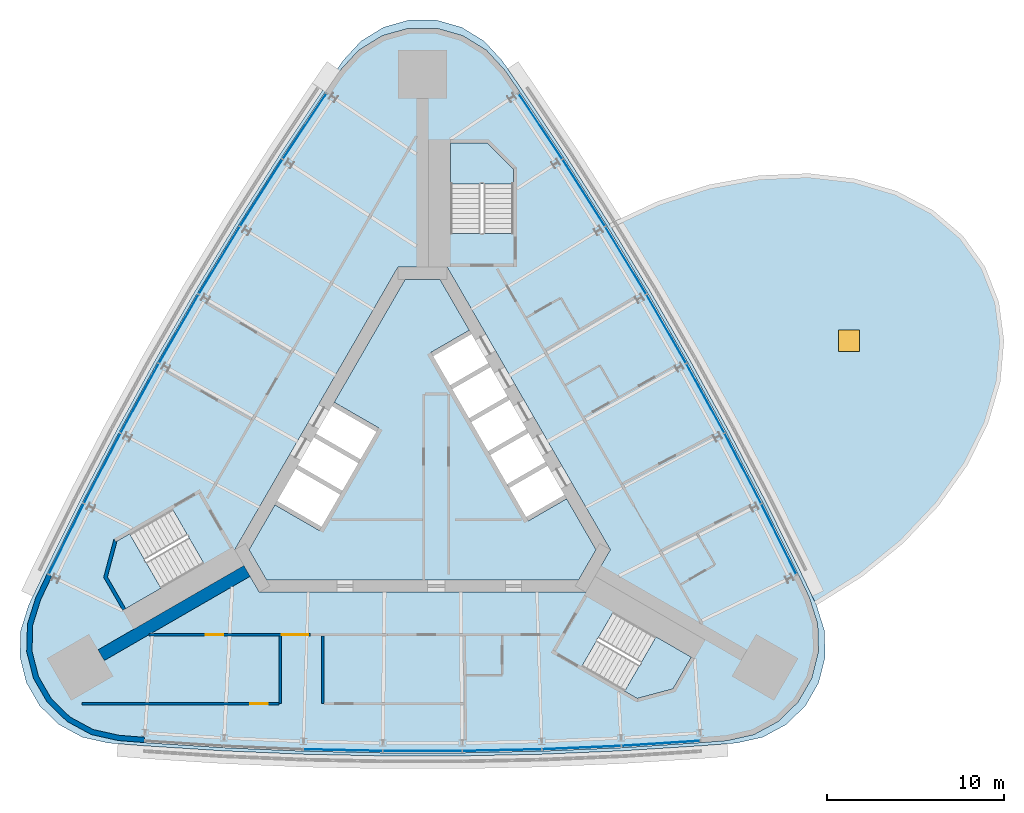
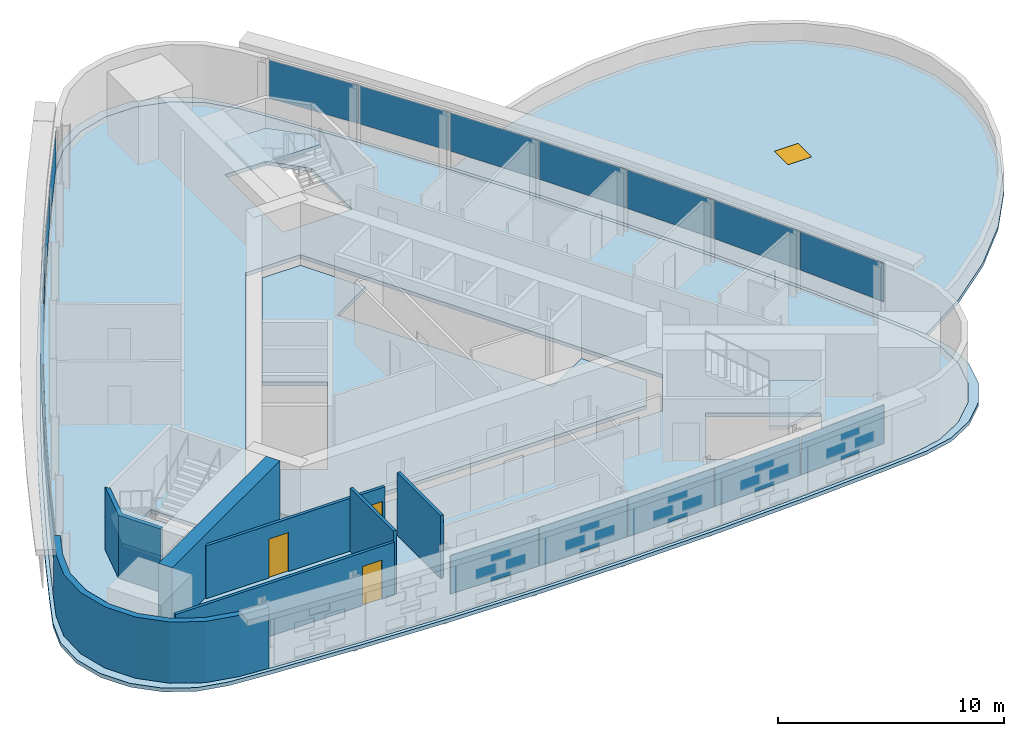
# One storey, part 7 of 12: 19 plates, 7 slabs, 7 walls, 3 doors, 1 window, 4 openings, 6 elements without a shape of their own.
"""IFC4 building model written with IfcOpenShell, lengths in metres."""

from ifc_helpers import new_model, si_unit, direction, frame, frame_2d, origin, origin_2d, place, context, subcontext, project, spatial, polyline, rectangle, outline, extrude, material, layer, layer_set, type_object, element, fill, aggregate, save


model = new_model("IFC4")

# Units and contexts
model_context = context("Model", 3, precision=1e-05, world=origin(), true_north=direction((0.0, 1.0)))
body_context = subcontext(model_context, "Body", "Model", "MODEL_VIEW")
ifc_project = project(units=[si_unit("LENGTHUNIT", "METRE"), si_unit("AREAUNIT", "SQUARE_METRE"), si_unit("VOLUMEUNIT", "CUBIC_METRE"), si_unit("PLANEANGLEUNIT", "RADIAN"), si_unit("MASSUNIT", "GRAM", prefix="KILO")], contexts=[model_context])

# Site, building, storey
site_placement = place(None, origin())
site = spatial("IfcSite", under=ifc_project, at=site_placement, CompositionType="ELEMENT")
building_placement = place(site_placement, origin())
building = spatial("IfcBuilding", under=site, at=building_placement, Name="Noor Cloister Tower", CompositionType="ELEMENT")
storey_placement = place(building_placement, frame((0.0, 0.0, 185.10009765625)))
storey = spatial("IfcBuildingStorey", under=building, at=storey_placement, Name="L47", CompositionType="ELEMENT", Elevation=185.10009765625)

# Slabs
ifc_material_1 = material(Name="Concrete C40/50", Category="concrete")
ifc_layer_1 = layer(ifc_material_1, 0.199951171875)
ifc_layer_set_1 = layer_set([ifc_layer_1], Name="Core floor slab 200 C40/50")
slab_type_1 = type_object("IfcSlabType", Name="Core floor slab 200 C40/50", PredefinedType="FLOOR", material=ifc_layer_set_1)
slab_1_placement = place(storey_placement, frame((0.0, 0.0, -0.2001953125)))
element("IfcSlab", 1, at=slab_1_placement, inside=storey, type_object=slab_type_1, Name="Core floor L47", PredefinedType="FLOOR", context=body_context, shape_type="SweptSolid", body=[
    extrude(outline(polyline([(2.643798828125, 7.877197265625), (0.9814453125, 10.75634765625), (-0.9814453125, 10.75634765625), (-4.993896484375, 3.806884765625), (-2.482421875, 2.35693359375), (-5.832275390625, -3.4453125), (-8.34375, -1.995361328125), (-9.80615234375, -4.5283203125), (-8.82470703125, -6.228271484375), (8.82470703125, -6.228271484375), (9.80615234375, -4.5283203125), (8.143798828125, -1.64892578125), (5.978759765625, -2.89892578125), (0.478759765625, 6.627197265625), (2.643798828125, 7.877197265625)])), origin(), (0.0, 0.0, 1.0), 0.2001953125),
])
ifc_material_2 = material(Name="Concrete C40/50", Category="concrete")
ifc_layer_2 = layer(ifc_material_2, 0.199951171875)
ifc_layer_set_2 = layer_set([ifc_layer_2], Name="Floor slab 200 C40/50")
slab_type_2 = type_object("IfcSlabType", Name="Floor slab 200 C40/50", PredefinedType="FLOOR", material=ifc_layer_set_2)
slab_2_placement = place(storey_placement, frame((0.0, 0.0, -0.2001953125)))
element("IfcSlab", 2, at=slab_2_placement, inside=storey, type_object=slab_type_2, Name="Floor slab L47", PredefinedType="FLOOR", context=body_context, shape_type="SweptSolid", body=[
    extrude(outline(polyline([(4.659423828125, 22.556884765625), (3.60498046875, 23.70361328125), (2.278076171875, 24.52001953125), (0.779052734375, 24.9443359375), (-0.779052734375, 24.9443359375), (-2.278076171875, 24.52001953125), (-3.60498046875, 23.70361328125), (-4.659423828125, 22.556884765625), (-5.494384765625, 21.341552734375), (-7.98974609375, 17.59716796875), (-10.404541015625, 13.7998046875), (-12.7373046875, 9.951904296875), (-14.9873046875, 6.054931640625), (-17.1533203125, 2.110595703125), (-19.234375, -1.879150390625), (-21.2294921875, -5.91259765625), (-21.864501953125, -7.2431640625), (-22.330322265625, -8.72998046875), (-22.3740234375, -10.287109375), (-21.991943359375, -11.797607421875), (-21.212890625, -13.146728515625), (-20.095947265625, -14.23291015625), (-18.7255859375, -14.973876953125), (-17.205078125, -15.3134765625), (-15.7353515625, -15.428955078125), (-11.24462890625, -15.7177734375), (-6.748779296875, -15.910400390625), (-2.25, -16.0068359375), (2.25, -16.0068359375), (6.748779296875, -15.910400390625), (11.24462890625, -15.7177734375), (15.7353515625, -15.428955078125), (17.205078125, -15.3134765625), (18.7255859375, -14.973876953125), (20.095947265625, -14.23291015625), (21.212890625, -13.146728515625), (21.991943359375, -11.797607421875), (22.3740234375, -10.287109375), (22.330322265625, -8.72998046875), (21.864501953125, -7.2431640625), (21.2294921875, -5.91259765625), (19.234375, -1.879150390625), (17.1533203125, 2.110595703125), (14.9873046875, 6.054931640625), (12.7373046875, 9.951904296875), (10.404541015625, 13.7998046875), (7.98974609375, 17.59716796875), (5.494384765625, 21.341552734375), (4.659423828125, 22.556884765625)]), holes=[polyline([(8.999755859375, -11.126220703125), (12.131591796875, -12.934326171875), (14.1572265625, -12.3916015625), (15.19091796875, -10.601318359375), (10.774658203125, -8.0517578125), (8.999755859375, -11.126220703125)]), polyline([(-17.81005859375, -6.064697265625), (-16.776611328125, -7.85498046875), (-12.3603515625, -5.305419921875), (-14.13525390625, -2.23095703125), (-16.662841796875, -3.690185546875), (-17.267333984375, -4.039306640625), (-17.81005859375, -6.064697265625)]), polyline([(-10.6142578125, -4.5283203125), (-9.228759765625, -6.92822265625), (9.228759765625, -6.92822265625), (10.6142578125, -4.5283203125), (1.3857421875, 11.456298828125), (-1.3857421875, 11.456298828125), (-10.6142578125, -4.5283203125)]), polyline([(3.65283203125, 18.456298828125), (1.585693359375, 18.456298828125), (1.585693359375, 13.35693359375), (5.135498046875, 13.35693359375), (5.135498046875, 16.9736328125), (3.65283203125, 18.456298828125)])]), origin(), (0.0, 0.0, 1.0), 0.2001953125),
])

# Curtain wall, plates
ifc_material_3 = material(Name="Aluminium 6063-T6 anodised", Category="aluminium")
curtain_wall_type = type_object("IfcCurtainWallType", Name="Ribbon curtain wall, upper tower CW5", PredefinedType="NOTDEFINED", material=ifc_material_3)
curtain_wall_1_placement = place(storey_placement, origin())
curtain_wall_1 = element("IfcCurtainWall", 3, at=curtain_wall_1_placement, inside=storey, type_object=curtain_wall_type, Name="CW5 L47 NW run 1", PredefinedType="NOTDEFINED")
ifc_material_4 = material(Name="Clear laminated glass 2 x 8 mm", Category="glass")
ifc_layer_3 = layer(ifc_material_4, 0.028076171875)
ifc_layer_set_3 = layer_set([ifc_layer_3], Name="Glass panel CW5")
plate_type = type_object("IfcPlateType", Name="Glass panel CW5", PredefinedType="CURTAIN_PANEL", material=ifc_layer_set_3)
plate_1_placement = place(storey_placement, frame((-6.668212890625, 19.39990234375, 1.08984375), z_axis=(0.0, 0.0, 1.0), x_axis=(-0.554550704513, -0.832149936084, 0.0)))
plate_1 = element("IfcPlate", 4, at=plate_1_placement, type_object=plate_type, Name="CW5 glass panel 1", PredefinedType="CURTAIN_PANEL", context=body_context, shape_type="SweptSolid", body=[
    extrude(rectangle(XDim=4.413818359375, YDim=0.028076171875, at=origin_2d()), origin(), (0.0, 0.0, 1.0), 2.070068359375),
])
plate_2_placement = place(storey_placement, frame((-9.11279296875, 15.644775390625, 1.08984375), z_axis=(0.0, 0.0, 1.0), x_axis=(-0.536610284799, -0.843830197521, 0.0)))
plate_2 = element("IfcPlate", 5, at=plate_2_placement, type_object=plate_type, Name="CW5 glass panel 2", PredefinedType="CURTAIN_PANEL", context=body_context, shape_type="SweptSolid", body=[
    extrude(rectangle(XDim=4.44775390625, YDim=0.028076171875, at=origin_2d()), origin(), (0.0, 0.0, 1.0), 2.070068359375),
])
plate_3_placement = place(storey_placement, frame((-11.4853515625, 11.823974609375, 1.08984375), z_axis=(0.0, 0.0, 1.0), x_axis=(-0.518423928552, -0.855123751456, 0.0)))
plate_3 = element("IfcPlate", 6, at=plate_3_placement, type_object=plate_type, Name="CW5 glass panel 3", PredefinedType="CURTAIN_PANEL", context=body_context, shape_type="SweptSolid", body=[
    extrude(rectangle(XDim=4.44775390625, YDim=0.028076171875, at=origin_2d()), origin(), (0.0, 0.0, 1.0), 2.070068359375),
])
plate_4_placement = place(storey_placement, frame((-13.775634765625, 7.953369140625, 1.08984375), z_axis=(0.0, 0.0, 1.0), x_axis=(-0.5, -0.866025403784, 0.0)))
plate_4 = element("IfcPlate", 7, at=plate_4_placement, type_object=plate_type, Name="CW5 glass panel 4", PredefinedType="CURTAIN_PANEL", context=body_context, shape_type="SweptSolid", body=[
    extrude(rectangle(XDim=4.44775390625, YDim=0.028076171875, at=origin_2d()), origin(), (0.0, 0.0, 1.0), 2.070068359375),
])
plate_5_placement = place(storey_placement, frame((-15.982666015625, 4.03466796875, 1.08984375), z_axis=(0.0, 0.0, 1.0), x_axis=(-0.481346927864, -0.876530167784, 0.0)))
plate_5 = element("IfcPlate", 8, at=plate_5_placement, type_object=plate_type, Name="CW5 glass panel 5", PredefinedType="CURTAIN_PANEL", context=body_context, shape_type="SweptSolid", body=[
    extrude(rectangle(XDim=4.44775390625, YDim=0.028076171875, at=origin_2d()), origin(), (0.0, 0.0, 1.0), 2.070068359375),
])
plate_6_placement = place(storey_placement, frame((-18.105224609375, 0.0693359375, 1.08984375), z_axis=(0.0, 0.0, 1.0), x_axis=(-0.462473245134, -0.886633237328, 0.0)))
plate_6 = element("IfcPlate", 9, at=plate_6_placement, type_object=plate_type, Name="CW5 glass panel 6", PredefinedType="CURTAIN_PANEL", context=body_context, shape_type="SweptSolid", body=[
    extrude(rectangle(XDim=4.44775390625, YDim=0.028076171875, at=origin_2d()), origin(), (0.0, 0.0, 1.0), 2.070068359375),
])
plate_7_placement = place(storey_placement, frame((-20.134765625, -3.925048828125, 1.08984375), z_axis=(0.0, 0.0, 1.0), x_axis=(-0.443387632149, -0.896329965837, 0.0)))
plate_7 = element("IfcPlate", 10, at=plate_7_placement, type_object=plate_type, Name="CW5 glass panel 7", PredefinedType="CURTAIN_PANEL", context=body_context, shape_type="SweptSolid", body=[
    extrude(rectangle(XDim=4.413818359375, YDim=0.028076171875, at=origin_2d()), origin(), (0.0, 0.0, 1.0), 2.070068359375),
])
aggregate(curtain_wall_1, [plate_1, plate_2, plate_3, plate_4, plate_5, plate_6, plate_7])

curtain_wall_2_placement = place(storey_placement, origin())
curtain_wall_2 = element("IfcCurtainWall", 11, at=curtain_wall_2_placement, inside=storey, type_object=curtain_wall_type, Name="CW5 L47 S run 2", PredefinedType="NOTDEFINED")
plate_8_placement = place(storey_placement, frame((-4.497314453125, -15.858642578125, 1.08984375), z_axis=(0.0, 0.0, 1.0), x_axis=(0.999770856417, -0.021406416328, 0.0)))
plate_8 = element("IfcPlate", 12, at=plate_8_placement, type_object=plate_type, Name="CW5 glass panel 3", PredefinedType="CURTAIN_PANEL", context=body_context, shape_type="SweptSolid", body=[
    extrude(rectangle(XDim=4.44775390625, YDim=0.028076171875, at=origin_2d()), origin(), (0.0, 0.0, 1.0), 2.070068359375),
])
plate_9_placement = place(storey_placement, frame((0.0, -15.90673828125, 1.08984375), z_axis=(0.0, 0.0, 1.0), x_axis=(1.0, 0.0, 0.0)))
plate_9 = element("IfcPlate", 13, at=plate_9_placement, type_object=plate_type, Name="CW5 glass panel 4", PredefinedType="CURTAIN_PANEL", context=body_context, shape_type="SweptSolid", body=[
    extrude(rectangle(XDim=4.44775390625, YDim=0.028076171875, at=origin_2d()), origin(), (0.0, 0.0, 1.0), 2.070068359375),
])
plate_10_placement = place(storey_placement, frame((4.497314453125, -15.858642578125, 1.08984375), z_axis=(0.0, 0.0, 1.0), x_axis=(0.999770856417, 0.021406416328, 0.0)))
plate_10 = element("IfcPlate", 14, at=plate_10_placement, type_object=plate_type, Name="CW5 glass panel 5", PredefinedType="CURTAIN_PANEL", context=body_context, shape_type="SweptSolid", body=[
    extrude(rectangle(XDim=4.44775390625, YDim=0.028076171875, at=origin_2d()), origin(), (0.0, 0.0, 1.0), 2.070068359375),
])
plate_11_placement = place(storey_placement, frame((8.992431640625, -15.71435546875, 1.08984375), z_axis=(0.0, 0.0, 1.0), x_axis=(0.999083529933, 0.042803039807, 0.0)))
plate_11 = element("IfcPlate", 15, at=plate_11_placement, type_object=plate_type, Name="CW5 glass panel 6", PredefinedType="CURTAIN_PANEL", context=body_context, shape_type="SweptSolid", body=[
    extrude(rectangle(XDim=4.44775390625, YDim=0.028076171875, at=origin_2d()), origin(), (0.0, 0.0, 1.0), 2.070068359375),
])
plate_12_placement = place(storey_placement, frame((13.466552734375, -15.474853515625, 1.08984375), z_axis=(0.0, 0.0, 1.0), x_axis=(0.997938336663, 0.064180029753, 0.0)))
plate_12 = element("IfcPlate", 16, at=plate_12_placement, type_object=plate_type, Name="CW5 glass panel 7", PredefinedType="CURTAIN_PANEL", context=body_context, shape_type="SweptSolid", body=[
    extrude(rectangle(XDim=4.413818359375, YDim=0.028076171875, at=origin_2d()), origin(), (0.0, 0.0, 1.0), 2.070068359375),
])
aggregate(curtain_wall_2, [plate_8, plate_9, plate_10, plate_11, plate_12])

curtain_wall_3_placement = place(storey_placement, origin())
curtain_wall_3 = element("IfcCurtainWall", 17, at=curtain_wall_3_placement, inside=storey, type_object=curtain_wall_type, Name="CW5 L47 NE run 3", PredefinedType="NOTDEFINED")
plate_13_placement = place(storey_placement, frame((20.134765625, -3.925048828125, 1.08984375), z_axis=(0.0, 0.0, 1.0), x_axis=(-0.443387632149, 0.896329965837, 0.0)))
plate_13 = element("IfcPlate", 18, at=plate_13_placement, type_object=plate_type, Name="CW5 glass panel 1", PredefinedType="CURTAIN_PANEL", context=body_context, shape_type="SweptSolid", body=[
    extrude(rectangle(XDim=4.413818359375, YDim=0.028076171875, at=origin_2d()), origin(), (0.0, 0.0, 1.0), 2.070068359375),
])
plate_14_placement = place(storey_placement, frame((18.105224609375, 0.0693359375, 1.08984375), z_axis=(0.0, 0.0, 1.0), x_axis=(-0.462473245134, 0.886633237328, 0.0)))
plate_14 = element("IfcPlate", 19, at=plate_14_placement, type_object=plate_type, Name="CW5 glass panel 2", PredefinedType="CURTAIN_PANEL", context=body_context, shape_type="SweptSolid", body=[
    extrude(rectangle(XDim=4.44775390625, YDim=0.028076171875, at=origin_2d()), origin(), (0.0, 0.0, 1.0), 2.070068359375),
])
plate_15_placement = place(storey_placement, frame((15.982666015625, 4.03466796875, 1.08984375), z_axis=(0.0, 0.0, 1.0), x_axis=(-0.481346927864, 0.876530167784, 0.0)))
plate_15 = element("IfcPlate", 20, at=plate_15_placement, type_object=plate_type, Name="CW5 glass panel 3", PredefinedType="CURTAIN_PANEL", context=body_context, shape_type="SweptSolid", body=[
    extrude(rectangle(XDim=4.44775390625, YDim=0.028076171875, at=origin_2d()), origin(), (0.0, 0.0, 1.0), 2.070068359375),
])
plate_16_placement = place(storey_placement, frame((13.775634765625, 7.953369140625, 1.08984375), z_axis=(0.0, 0.0, 1.0), x_axis=(-0.5, 0.866025403784, 0.0)))
plate_16 = element("IfcPlate", 21, at=plate_16_placement, type_object=plate_type, Name="CW5 glass panel 4", PredefinedType="CURTAIN_PANEL", context=body_context, shape_type="SweptSolid", body=[
    extrude(rectangle(XDim=4.44775390625, YDim=0.028076171875, at=origin_2d()), origin(), (0.0, 0.0, 1.0), 2.070068359375),
])
plate_17_placement = place(storey_placement, frame((11.4853515625, 11.823974609375, 1.08984375), z_axis=(0.0, 0.0, 1.0), x_axis=(-0.518423928552, 0.855123751456, 0.0)))
plate_17 = element("IfcPlate", 22, at=plate_17_placement, type_object=plate_type, Name="CW5 glass panel 5", PredefinedType="CURTAIN_PANEL", context=body_context, shape_type="SweptSolid", body=[
    extrude(rectangle(XDim=4.44775390625, YDim=0.028076171875, at=origin_2d()), origin(), (0.0, 0.0, 1.0), 2.070068359375),
])
plate_18_placement = place(storey_placement, frame((9.11279296875, 15.644775390625, 1.08984375), z_axis=(0.0, 0.0, 1.0), x_axis=(-0.536610284799, 0.843830197521, 0.0)))
plate_18 = element("IfcPlate", 23, at=plate_18_placement, type_object=plate_type, Name="CW5 glass panel 6", PredefinedType="CURTAIN_PANEL", context=body_context, shape_type="SweptSolid", body=[
    extrude(rectangle(XDim=4.44775390625, YDim=0.028076171875, at=origin_2d()), origin(), (0.0, 0.0, 1.0), 2.070068359375),
])
plate_19_placement = place(storey_placement, frame((6.668212890625, 19.39990234375, 1.08984375), z_axis=(0.0, 0.0, 1.0), x_axis=(-0.554550704513, 0.832149936084, 0.0)))
plate_19 = element("IfcPlate", 24, at=plate_19_placement, type_object=plate_type, Name="CW5 glass panel 7", PredefinedType="CURTAIN_PANEL", context=body_context, shape_type="SweptSolid", body=[
    extrude(rectangle(XDim=4.413818359375, YDim=0.028076171875, at=origin_2d()), origin(), (0.0, 0.0, 1.0), 2.070068359375),
])
aggregate(curtain_wall_3, [plate_13, plate_14, plate_15, plate_16, plate_17, plate_18, plate_19])

# Slab
ifc_material_5 = material(Name="Concrete C40/50", Category="concrete")
ifc_layer_4 = layer(ifc_material_5, 0.199951171875)
ifc_layer_set_4 = layer_set([ifc_layer_4], Name="Ledge roof 200 C40/50")
slab_type_3 = type_object("IfcSlabType", Name="Ledge roof 200 C40/50", PredefinedType="ROOF", material=ifc_layer_set_4)
slab_3_placement = place(storey_placement, frame((0.0, 0.0, -0.2001953125)))
element("IfcSlab", 25, at=slab_3_placement, inside=storey, type_object=slab_type_3, Name="Ledge roof L47", PredefinedType="ROOF", context=body_context, shape_type="SweptSolid", body=[
    extrude(outline(polyline([(5.65234375, 21.43310546875), (4.496826171875, 23.113037109375), (3.47802734375, 24.2177734375), (2.197509765625, 25.00390625), (0.751220703125, 25.412353515625), (-0.751220703125, 25.412353515625), (-2.197509765625, 25.00390625), (-3.47802734375, 24.2177734375), (-4.496826171875, 23.113037109375), (-5.65234375, 21.43310546875), (-8.145263671875, 17.68701171875), (-10.55810546875, 13.888671875), (-12.89013671875, 10.0400390625), (-15.14013671875, 6.14306640625), (-17.30712890625, 2.19921875), (-19.389892578125, -1.78955078125), (-21.387939453125, -5.821533203125), (-22.264892578125, -7.662353515625), (-22.712158203125, -9.096923828125), (-22.752685546875, -10.598876953125), (-22.38330078125, -12.055419921875), (-21.632080078125, -13.35693359375), (-20.55517578125, -14.405029296875), (-19.234130859375, -15.120849609375), (-17.76806640625, -15.450927734375), (-15.735595703125, -15.611572265625), (-11.24462890625, -15.8974609375), (-6.748779296875, -16.087890625), (-2.25, -16.183349609375), (2.25, -16.183349609375), (6.748779296875, -16.087890625), (11.24462890625, -15.8974609375), (15.735595703125, -15.611572265625), (17.76806640625, -15.450927734375), (19.234130859375, -15.120849609375), (20.55517578125, -14.405029296875), (21.632080078125, -13.35693359375), (22.38330078125, -12.055419921875), (22.752685546875, -10.598876953125), (22.712158203125, -9.096923828125), (22.264892578125, -7.662353515625), (21.387939453125, -5.821533203125), (19.389892578125, -1.78955078125), (17.30712890625, 2.19921875), (15.14013671875, 6.14306640625), (12.89013671875, 10.0400390625), (10.55810546875, 13.888671875), (8.145263671875, 17.68701171875), (5.65234375, 21.43310546875)]), holes=[polyline([(2.278076171875, 24.52001953125), (0.779052734375, 24.9443359375), (-0.779052734375, 24.9443359375), (-2.278076171875, 24.52001953125), (-3.60498046875, 23.70361328125), (-4.659423828125, 22.556884765625), (-5.494384765625, 21.341552734375), (-7.98974609375, 17.59716796875), (-10.404541015625, 13.7998046875), (-12.7373046875, 9.951904296875), (-14.9873046875, 6.054931640625), (-17.1533203125, 2.110595703125), (-19.234375, -1.879150390625), (-21.2294921875, -5.91259765625), (-21.864501953125, -7.2431640625), (-22.330322265625, -8.72998046875), (-22.3740234375, -10.287109375), (-21.991943359375, -11.797607421875), (-21.212890625, -13.146728515625), (-20.095947265625, -14.23291015625), (-18.7255859375, -14.973876953125), (-17.205078125, -15.3134765625), (-15.7353515625, -15.428955078125), (-11.24462890625, -15.7177734375), (-6.748779296875, -15.910400390625), (-2.25, -16.0068359375), (2.25, -16.0068359375), (6.748779296875, -15.910400390625), (11.24462890625, -15.7177734375), (15.7353515625, -15.428955078125), (17.205078125, -15.3134765625), (18.7255859375, -14.973876953125), (20.095947265625, -14.23291015625), (21.212890625, -13.146728515625), (21.991943359375, -11.797607421875), (22.3740234375, -10.287109375), (22.330322265625, -8.72998046875), (21.864501953125, -7.2431640625), (21.2294921875, -5.91259765625), (19.234375, -1.879150390625), (17.1533203125, 2.110595703125), (14.9873046875, 6.054931640625), (12.7373046875, 9.951904296875), (10.404541015625, 13.7998046875), (7.98974609375, 17.59716796875), (5.494384765625, 21.341552734375), (4.659423828125, 22.556884765625), (3.60498046875, 23.70361328125), (2.278076171875, 24.52001953125)])]), origin(), (0.0, 0.0, 1.0), 0.2001953125),
])

# Slab, opening, window
ifc_material_6 = material(Name="Concrete C40/50", Category="concrete")
ifc_layer_5 = layer(ifc_material_6, 0.199951171875)
ifc_layer_set_5 = layer_set([ifc_layer_5], Name="Pod roof slab 200")
slab_type_4 = type_object("IfcSlabType", Name="Pod roof slab 200", PredefinedType="ROOF", material=ifc_layer_set_5)
slab_4_placement = place(storey_placement, frame((0.0, 0.0, -0.2001953125)))
slab_4 = element("IfcSlab", 26, at=slab_4_placement, inside=storey, type_object=slab_type_4, Name="Pod roof slab 3", PredefinedType="ROOF", context=body_context, shape_type="SweptSolid", body=[
    extrude(outline(polyline([(22.264892578125, -7.662353515625), (24.84619140625, -6.048095703125), (27.17138671875, -4.155517578125), (29.16943359375, -2.0419921875), (30.780029296875, 0.22802734375), (31.953857421875, 2.5859375), (32.65576171875, 4.959716796875), (32.86376953125, 7.27734375), (32.572021484375, 9.468505859375), (31.7890625, 11.466552734375), (30.5390625, 13.210693359375), (28.85986328125, 14.648193359375), (26.80224609375, 15.735107421875), (24.428955078125, 16.4384765625), (21.81201171875, 16.737060546875), (19.03125, 16.62158203125), (16.170654296875, 16.095947265625), (13.3173828125, 15.175537109375), (10.55810546875, 13.888671875), (12.89013671875, 10.0400390625), (15.14013671875, 6.14306640625), (17.30712890625, 2.19921875), (19.389892578125, -1.78955078125), (21.387939453125, -5.821533203125), (22.264892578125, -7.662353515625)])), origin(), (0.0, 0.0, 1.0), 0.2001953125),
])
opening_1_placement = place(slab_4_placement, frame((24.100341796875, 7.289794921875, 0.0)))
opening_1 = element("IfcOpeningElement", 27, at=opening_1_placement, cuts=slab_4, Name="Opening RH3", PredefinedType="OPENING", context=body_context, shape_type="SweptSolid", body=[
    extrude(rectangle(XDim=1.199951171875, YDim=1.199951171875, at=origin_2d()), origin(), (0.0, 0.0, 1.0), 0.2001953125),
])
ifc_material_7 = material(Name="Aluminium 6063-T6 anodised", Category="aluminium")
window_type = type_object("IfcWindowType", Name="Roof access hatch", PartitioningType="SINGLE_PANEL", PredefinedType="SKYLIGHT", material=ifc_material_7)
window_placement = place(opening_1_placement, frame((0.0, 0.0, 0.150146484375)))
window = element("IfcWindow", 28, at=window_placement, inside=storey, type_object=window_type, Name="Sky bar 3 roof access hatch", OverallHeight=1.199951171875, OverallWidth=1.199951171875, PartitioningType="SINGLE_PANEL", PredefinedType="SKYLIGHT", context=body_context, shape_type="SweptSolid", body=[
    extrude(rectangle(XDim=1.199951171875, YDim=1.199951171875, at=origin_2d()), origin(), (0.0, 0.0, 1.0), 0.050048828125),
])
fill(opening_1, window)

# Stair, slab
ifc_material_8 = material(Name="Concrete C40/50", Category="concrete")
stair_type = type_object("IfcStairType", Name="Exit stair 22 risers", PredefinedType="HALF_TURN_STAIR", material=ifc_material_8)
stair_1_placement = place(storey_placement, origin())
stair_1 = element("IfcStair", 29, at=stair_1_placement, inside=storey, type_object=stair_type, Name="Exit stair ST1 L47", PredefinedType="HALF_TURN_STAIR")
ifc_material_9 = material(Name="Concrete C40/50", Category="concrete")
ifc_layer_6 = layer(ifc_material_9, 0.199951171875)
ifc_layer_set_6 = layer_set([ifc_layer_6], Name="Stair landing 200 C40/50")
slab_type_5 = type_object("IfcSlabType", Name="Stair landing 200 C40/50", PredefinedType="LANDING", material=ifc_layer_set_6)
slab_5_placement = place(storey_placement, frame((0.0, 0.0, 1.599853515625)))
slab_5 = element("IfcSlab", 30, at=slab_5_placement, type_object=slab_type_5, Name="ST1 landing 1", PredefinedType="LANDING", context=body_context, shape_type="SweptSolid", body=[
    extrude(outline(polyline([(5.135498046875, 16.15576171875), (5.135498046875, 16.9736328125), (3.65283203125, 18.456298828125), (1.585693359375, 18.456298828125), (1.585693359375, 16.15576171875), (5.135498046875, 16.15576171875)])), origin(), (0.0, 0.0, 1.0), 0.199951171875),
])
aggregate(stair_1, [slab_5])

stair_2_placement = place(storey_placement, origin())
stair_2 = element("IfcStair", 31, at=stair_2_placement, inside=storey, type_object=stair_type, Name="Exit stair ST2 L47", PredefinedType="HALF_TURN_STAIR")
slab_6_placement = place(storey_placement, frame((0.0, 0.0, 1.599853515625)))
slab_6 = element("IfcSlab", 32, at=slab_6_placement, type_object=slab_type_5, Name="ST2 landing 1", PredefinedType="LANDING", context=body_context, shape_type="SweptSolid", body=[
    extrude(outline(polyline([(-16.55908203125, -3.63037109375), (-17.267333984375, -4.039306640625), (-17.81005859375, -6.064697265625), (-16.776611328125, -7.85498046875), (-14.7841796875, -6.70458984375), (-16.55908203125, -3.63037109375)])), origin(), (0.0, 0.0, 1.0), 0.199951171875),
])
aggregate(stair_2, [slab_6])

stair_3_placement = place(storey_placement, origin())
stair_3 = element("IfcStair", 33, at=stair_3_placement, inside=storey, type_object=stair_type, Name="Exit stair ST3 L47", PredefinedType="HALF_TURN_STAIR")
slab_7_placement = place(storey_placement, frame((0.0, 0.0, 1.599853515625)))
slab_7 = element("IfcSlab", 34, at=slab_7_placement, type_object=slab_type_5, Name="ST3 landing 1", PredefinedType="LANDING", context=body_context, shape_type="SweptSolid", body=[
    extrude(outline(polyline([(11.423583984375, -12.525390625), (12.131591796875, -12.934326171875), (14.1572265625, -12.3916015625), (15.19091796875, -10.601318359375), (13.198486328125, -9.451171875), (11.423583984375, -12.525390625)])), origin(), (0.0, 0.0, 1.0), 0.199951171875),
])
aggregate(stair_3, [slab_7])

# Wall
ifc_material_10 = material(Name="Concrete C70/85", Category="concrete")
ifc_layer_7 = layer(ifc_material_10, 0.699951171875)
ifc_layer_set_7 = layer_set([ifc_layer_7], Name="Buttress wall 700 C70/85")
wall_type_1 = type_object("IfcWallType", Name="Buttress wall 700 C70/85", PredefinedType="SHEAR", material=ifc_layer_set_7)
wall_1_placement = place(storey_placement, frame((-9.921630859375, -5.728271484375, -0.2001953125), z_axis=(0.0, 0.0, 1.0), x_axis=(-0.866025463095, -0.499999897272, 0.0)))
element("IfcWall", 35, at=wall_1_placement, inside=storey, type_object=wall_type_1, Name="Buttress wall SW L47", PredefinedType="SHEAR", context=body_context, shape_type="SweptSolid", body=[
    extrude(rectangle(XDim=9.521484375, YDim=0.699951171875, at=frame_2d((4.7607421875, 0.0))), origin(), (0.0, 0.0, 1.0), 3.60009765625),
])

# Wall, openings, doors
ifc_material_11 = material(Name="Gypsum board partition on steel studs, 150 mm", Category="steel")
ifc_layer_8 = layer(ifc_material_11, 0.14990234375)
ifc_layer_set_8 = layer_set([ifc_layer_8], Name="Flat wall 150")
wall_type_2 = type_object("IfcWallType", Name="Flat wall 150", PredefinedType="PARTITIONING", material=ifc_layer_set_8)
wall_2_placement = place(storey_placement, frame((-15.45703125, -9.328125, 0.0), z_axis=(0.0, 0.0, 1.0), x_axis=(1.0, 0.0, 0.0)))
wall_2 = element("IfcWall", 36, at=wall_2_placement, inside=storey, type_object=wall_type_2, Name="Wall L47-W14", PredefinedType="PARTITIONING", context=body_context, shape_type="SweptSolid", body=[
    extrude(rectangle(XDim=9.11962890625, YDim=0.14990234375, at=frame_2d((4.559814453125, 0.0))), origin(), (0.0, 0.0, 1.0), 2.846923828125),
])
opening_2_placement = place(wall_2_placement, frame((7.490966796875, 0.0, 0.0)))
opening_2 = element("IfcOpeningElement", 37, at=opening_2_placement, cuts=wall_2, Name="Opening L47-009", PredefinedType="OPENING", context=body_context, shape_type="SweptSolid", body=[
    extrude(rectangle(XDim=1.5, YDim=2.10009765625, at=frame_2d((0.75, 1.050048828125))), frame((0.0, 0.0849609375, 0.0), z_axis=(0.0, -1.0, 0.0), x_axis=(1.0, 0.0, 0.0)), (0.0, 0.0, 1.0), 0.169921875),
])
opening_3_placement = place(wall_2_placement, frame((3.2060546875, 0.0, 0.0)))
opening_3 = element("IfcOpeningElement", 38, at=opening_3_placement, cuts=wall_2, Name="Opening L47-011", PredefinedType="OPENING", context=body_context, shape_type="SweptSolid", body=[
    extrude(rectangle(XDim=1.0, YDim=2.10009765625, at=frame_2d((0.5, 1.050048828125))), frame((0.0, 0.0849609375, 0.0), z_axis=(0.0, -1.0, 0.0), x_axis=(1.0, 0.0, 0.0)), (0.0, 0.0, 1.0), 0.169921875),
])
ifc_material_12 = material(Name="Timber door leaf with steel frame", Category="steel")
door_type_1 = type_object("IfcDoorType", Name="Double door 1500 FD60", OperationType="NOTDEFINED", PredefinedType="DOOR", material=ifc_material_12)
door_1_placement = place(opening_2_placement, origin())
door_1 = element("IfcDoor", 39, at=door_1_placement, inside=storey, type_object=door_type_1, Name="Door L47-009", OperationType="DOUBLE_DOOR_SINGLE_SWING", OverallHeight=2.10009765625, OverallWidth=1.5, PredefinedType="DOOR", context=body_context, shape_type="SweptSolid", body=[
    extrude(rectangle(XDim=1.5, YDim=2.10009765625, at=frame_2d((0.75, 1.050048828125))), frame((0.0, 0.02490234375, 0.0), z_axis=(0.0, -1.0, 0.0), x_axis=(1.0, 0.0, 0.0)), (0.0, 0.0, 1.0), 0.050048828125),
])
fill(opening_2, door_1)
ifc_material_13 = material(Name="Timber door leaf with steel frame", Category="steel")
door_type_2 = type_object("IfcDoorType", Name="Interior door 1000 FD60", OperationType="NOTDEFINED", PredefinedType="DOOR", material=ifc_material_13)
door_2_placement = place(opening_3_placement, origin())
door_2 = element("IfcDoor", 40, at=door_2_placement, inside=storey, type_object=door_type_2, Name="Door L47-011", OperationType="SINGLE_SWING_LEFT", OverallHeight=2.10009765625, OverallWidth=1.0, PredefinedType="DOOR", context=body_context, shape_type="SweptSolid", body=[
    extrude(rectangle(XDim=1.0, YDim=2.10009765625, at=frame_2d((0.5, 1.050048828125))), frame((0.0, 0.02490234375, 0.0), z_axis=(0.0, -1.0, 0.0), x_axis=(1.0, 0.0, 0.0)), (0.0, 0.0, 1.0), 0.050048828125),
])
fill(opening_3, door_2)

# Walls
for number, where, z_axis, x_axis, name in (
    (41, (-8.044677734375, -9.4033203125, 0.0), (0.0, 0.0, 1.0), (0.0, -1.0, 0.0), "Wall L47-W18"),
    (42, (-5.644775390625, -9.4033203125, 0.0), (0.0, 0.0, 1.0), (0.0, -1.0, 0.0), "Wall L47-W19"),
):
    element("IfcWall", number, at=place(storey_placement, frame(where, z_axis=z_axis, x_axis=x_axis)), inside=storey, type_object=wall_type_2, Name=name, PredefinedType="PARTITIONING", context=body_context, shape_type="SweptSolid", body=[
        extrude(rectangle(XDim=3.8251953125, YDim=0.14990234375, at=frame_2d((1.91259765625, 0.0))), origin(), (0.0, 0.0, 1.0), 3.39990234375),
    ])

# Wall, opening, door
wall_3_placement = place(storey_placement, frame((-19.262451171875, -13.228515625, 0.0), z_axis=(0.0, 0.0, 1.0), x_axis=(1.0, 0.0, 0.0)))
wall_3 = element("IfcWall", 43, at=wall_3_placement, inside=storey, type_object=wall_type_2, Name="Wall L47-W20", PredefinedType="PARTITIONING", context=body_context, shape_type="SweptSolid", body=[
    extrude(rectangle(XDim=11.142578125, YDim=0.14990234375, at=frame_2d((5.5712890625, 0.0))), origin(), (0.0, 0.0, 1.0), 2.846923828125),
])
opening_4_placement = place(wall_3_placement, frame((9.517822265625, 0.0, 0.0)))
opening_4 = element("IfcOpeningElement", 44, at=opening_4_placement, cuts=wall_3, Name="Opening L47-010", PredefinedType="OPENING", context=body_context, shape_type="SweptSolid", body=[
    extrude(rectangle(XDim=1.0, YDim=2.10009765625, at=frame_2d((0.5, 1.050048828125))), frame((0.0, 0.0849609375, 0.0), z_axis=(0.0, -1.0, 0.0), x_axis=(1.0, 0.0, 0.0)), (0.0, 0.0, 1.0), 0.169921875),
])
door_3_placement = place(opening_4_placement, origin())
door_3 = element("IfcDoor", 45, at=door_3_placement, inside=storey, type_object=door_type_2, Name="Door L47-010", OperationType="SINGLE_SWING_RIGHT", OverallHeight=2.10009765625, OverallWidth=1.0, PredefinedType="DOOR", context=body_context, shape_type="SweptSolid", body=[
    extrude(rectangle(XDim=1.0, YDim=2.10009765625, at=frame_2d((0.5, 1.050048828125))), frame((0.0, 0.02490234375, 0.0), z_axis=(0.0, -1.0, 0.0), x_axis=(1.0, 0.0, 0.0)), (0.0, 0.0, 1.0), 0.050048828125),
])
fill(opening_4, door_3)

# Walls
ifc_material_14 = material(Name="Limestone", Category="masonry")
ifc_layer_9 = layer(ifc_material_14, 0.300048828125)
ifc_layer_set_9 = layer_set([ifc_layer_9], Name="Limestone cladding 300")
wall_type_3 = type_object("IfcWallType", Name="Limestone cladding 300", PredefinedType="NOTDEFINED", material=ifc_layer_set_9)
wall_4_placement = place(storey_placement, origin())
element("IfcWall", 46, at=wall_4_placement, inside=storey, type_object=wall_type_3, Name="Limestone pier cladding L47 1.1", PredefinedType="NOTDEFINED", context=body_context, shape_type="SweptSolid", body=[
    extrude(outline(polyline([(-21.2294921875, -5.91259765625), (-21.864501953125, -7.2431640625), (-22.330322265625, -8.72998046875), (-22.3740234375, -10.287109375), (-21.991943359375, -11.797607421875), (-21.212890625, -13.146728515625), (-20.095947265625, -14.23291015625), (-18.7255859375, -14.973876953125), (-17.205078125, -15.3134765625), (-15.7353515625, -15.428955078125), (-15.711669921875, -15.1298828125), (-17.160400390625, -15.01611328125), (-18.619384765625, -14.690185546875), (-19.916748046875, -13.98876953125), (-20.973876953125, -12.960693359375), (-21.711181640625, -11.68359375), (-22.072998046875, -10.25390625), (-22.03173828125, -8.77978515625), (-21.58447265625, -7.353271484375), (-20.958740234375, -6.041748046875), (-21.2294921875, -5.91259765625)])), origin(), (0.0, 0.0, 1.0), 3.2998046875),
])
ifc_material_15 = material(Name="Concrete C70/85", Category="concrete")
wall_type_4 = type_object("IfcWallType", Name="Stair far end wall C70/85", PredefinedType="SHEAR", material=ifc_material_15)
wall_5_placement = place(storey_placement, frame((0.0, 0.0, -0.2001953125)))
element("IfcWall", 47, at=wall_5_placement, inside=storey, type_object=wall_type_4, Name="Stair enclosure wall ST2 L47 far end", PredefinedType="SHEAR", context=body_context, shape_type="SweptSolid", body=[
    extrude(outline(polyline([(-17.439208984375, -3.907470703125), (-18.024658203125, -6.093017578125), (-16.94970703125, -7.955078125), (-16.776611328125, -7.85498046875), (-17.81005859375, -6.064697265625), (-17.267333984375, -4.039306640625), (-17.339111328125, -4.08056640625), (-17.339111328125, -4.08056640625), (-17.339111328125, -4.08056640625), (-17.339111328125, -4.08056640625), (-17.339111328125, -4.08056640625), (-17.339111328125, -4.08056640625), (-17.339111328125, -4.08056640625), (-17.339111328125, -4.08056640625), (-17.339111328125, -4.08056640625), (-17.339111328125, -4.08056640625), (-17.339111328125, -4.08056640625), (-17.339111328125, -4.08056640625), (-17.339111328125, -4.08056640625), (-17.339111328125, -4.08056640625), (-17.339111328125, -4.08056640625), (-17.339111328125, -4.08056640625), (-17.339111328125, -4.08056640625), (-17.439208984375, -3.907470703125)])), origin(), (0.0, 0.0, 1.0), 3.60009765625),
])

save(model, "model.ifc")
